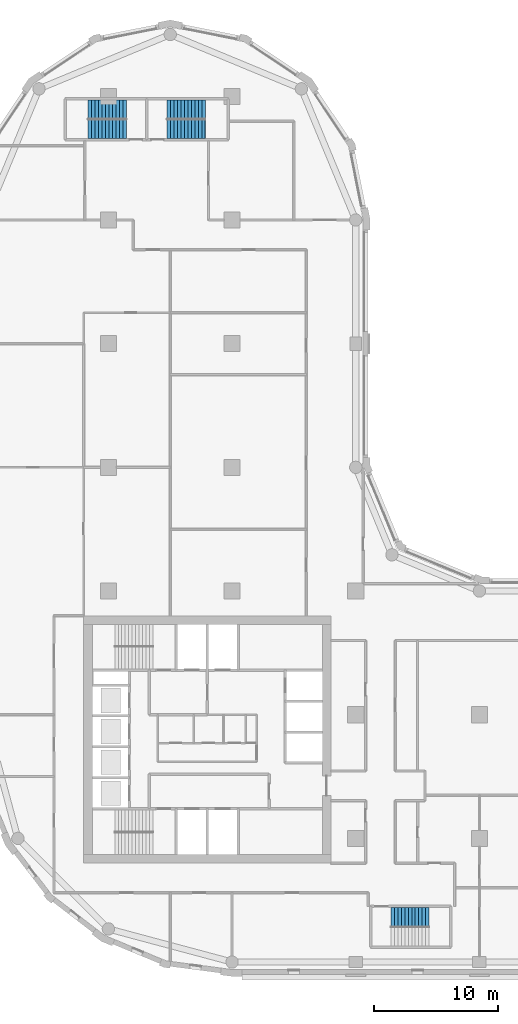
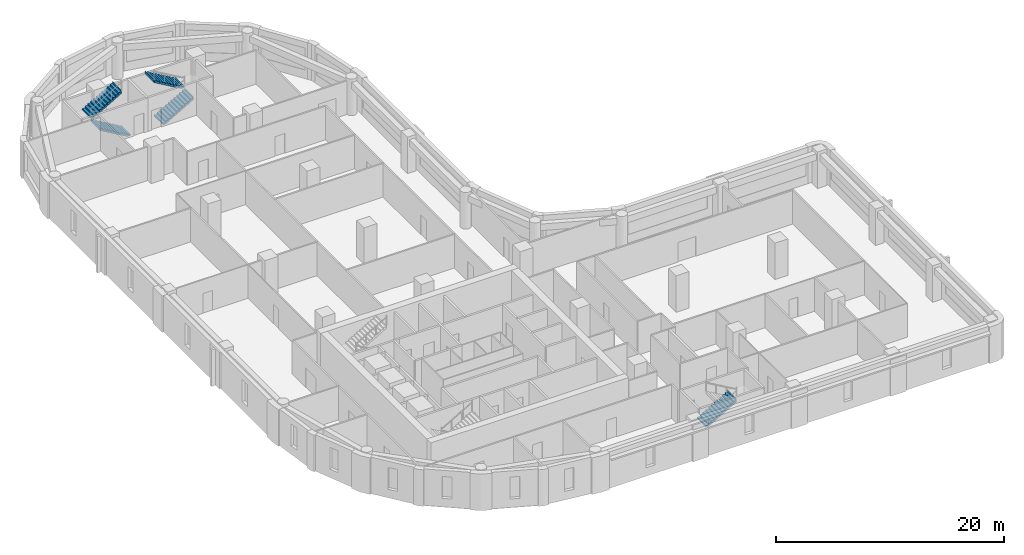
# One storey, part 8 of 10: 5 stair flights, 3 elements without a shape of their own.
"""IFC4 building model written with IfcOpenShell, lengths in metres."""

from ifc_helpers import new_model, si_unit, direction, frame, origin, place, context, subcontext, project, spatial, polyline, outline, extrude, material, type_object, element, aggregate, save


model = new_model("IFC4")

# Units and contexts
model_context = context("Model", 3, precision=1e-05, world=origin(), true_north=direction((0.0, 1.0)))
body_context = subcontext(model_context, "Body", "Model", "MODEL_VIEW")
ifc_project = project(units=[si_unit("LENGTHUNIT", "METRE"), si_unit("AREAUNIT", "SQUARE_METRE"), si_unit("VOLUMEUNIT", "CUBIC_METRE"), si_unit("PLANEANGLEUNIT", "RADIAN"), si_unit("MASSUNIT", "GRAM", prefix="KILO")], contexts=[model_context])

# Site, building, storey
site_placement = place(None, origin())
site = spatial("IfcSite", under=ifc_project, at=site_placement, CompositionType="ELEMENT")
building_placement = place(site_placement, origin())
building = spatial("IfcBuilding", under=site, at=building_placement, Name="Qaws Garden Tower", CompositionType="ELEMENT")
storey_placement = place(building_placement, frame((0.0, 0.0, 201.89990234375)))
storey = spatial("IfcBuildingStorey", under=building, at=storey_placement, Name="L49", CompositionType="ELEMENT", Elevation=201.89990234375)

# Stair, stair flight
ifc_material_1 = material(Name="Concrete C40", Category="concrete")
stair_type = type_object("IfcStairType", Name="Exit stair 1350", PredefinedType="HALF_TURN_STAIR", material=ifc_material_1)
placement = place(storey_placement, origin())
stair_1 = element("IfcStair", 1, at=placement, inside=storey, type_object=stair_type, Name="Stair 5", PredefinedType="HALF_TURN_STAIR")
ifc_material_2 = material(Name="Concrete C40", Category="concrete")
stair_flight_type = type_object("IfcStairFlightType", Name="Stair flight 1350", PredefinedType="STRAIGHT", material=ifc_material_2)
stair_flight_1_placement = place(storey_placement, frame((32.85009765625, 3.625, 0.0), z_axis=(0.0, 0.0, 1.0), x_axis=(1.0, 0.0, 0.0)))
stair_flight_1 = element("IfcStairFlight", 2, at=stair_flight_1_placement, type_object=stair_flight_type, Name="ST5 flight 1", NumberOfRisers=12, NumberOfTreads=11, PredefinedType="STRAIGHT", RiserHeight=0.1625, TreadLength=0.28, context=body_context, shape_type="SweptSolid", body=[
    extrude(outline(polyline([(-0.0029296875, 0.0), (-0.0029296875, 0.16259765625), (0.0, 0.16259765625), (0.280029296875, 0.16259765625), (0.280029296875, 0.324951171875), (0.56005859375, 0.324951171875), (0.56005859375, 0.487548828125), (0.840087890625, 0.487548828125), (0.840087890625, 0.64990234375), (1.1201171875, 0.64990234375), (1.1201171875, 0.8125), (1.39990234375, 0.8125), (1.39990234375, 0.97509765625), (1.679931640625, 0.97509765625), (1.679931640625, 1.137451171875), (1.9599609375, 1.137451171875), (1.9599609375, 1.300048828125), (2.239990234375, 1.300048828125), (2.239990234375, 1.46240234375), (2.52001953125, 1.46240234375), (2.52001953125, 1.625), (2.800048828125, 1.625), (2.800048828125, 1.78759765625), (3.080078125, 1.78759765625), (3.080078125, 1.949951171875), (3.0830078125, 1.949951171875), (3.0830078125, 1.6142578125), (3.080078125, 1.6142578125), (0.298583984375, 0.0), (-0.0029296875, 0.0)])), frame((0.0, 0.77490234375, 0.0), z_axis=(0.0, -1.0, 0.0), x_axis=(1.0, 0.0, 0.0)), (0.0, 0.0, 1.0), 1.550048828125),
])
aggregate(stair_1, [stair_flight_1])

# Stair, stair flights
stair_2 = element("IfcStair", 3, at=placement, inside=storey, type_object=stair_type, Name="Stair 6", PredefinedType="HALF_TURN_STAIR")
stair_flight_2_placement = place(storey_placement, frame((11.449951171875, 67.375, 0.0), z_axis=(0.0, 0.0, 1.0), x_axis=(-1.0, 0.0, 0.0)))
stair_flight_2 = element("IfcStairFlight", 4, at=stair_flight_2_placement, type_object=stair_flight_type, Name="ST6 flight 1", NumberOfRisers=12, NumberOfTreads=11, PredefinedType="STRAIGHT", RiserHeight=0.1625, TreadLength=0.28, context=body_context, shape_type="SweptSolid", body=[
    extrude(outline(polyline([(-0.0029296875, 0.0), (-0.0029296875, 0.16259765625), (0.0, 0.16259765625), (0.280029296875, 0.16259765625), (0.280029296875, 0.324951171875), (0.56005859375, 0.324951171875), (0.56005859375, 0.487548828125), (0.840087890625, 0.487548828125), (0.840087890625, 0.64990234375), (1.1201171875, 0.64990234375), (1.1201171875, 0.8125), (1.39990234375, 0.8125), (1.39990234375, 0.97509765625), (1.679931640625, 0.97509765625), (1.679931640625, 1.137451171875), (1.9599609375, 1.137451171875), (1.9599609375, 1.300048828125), (2.239990234375, 1.300048828125), (2.239990234375, 1.46240234375), (2.52001953125, 1.46240234375), (2.52001953125, 1.625), (2.800048828125, 1.625), (2.800048828125, 1.78759765625), (3.080078125, 1.78759765625), (3.080078125, 1.949951171875), (3.0830078125, 1.949951171875), (3.0830078125, 1.6142578125), (3.080078125, 1.6142578125), (0.298583984375, 0.0), (-0.0029296875, 0.0)])), frame((0.0, 0.77490234375, 0.0), z_axis=(0.0, -1.0, 0.0), x_axis=(1.0, 0.0, 0.0)), (0.0, 0.0, 1.0), 1.550048828125),
])
stair_flight_3_placement = place(storey_placement, frame((8.3701171875, 68.925048828125, 1.9501953125), z_axis=(0.0, 0.0, 1.0), x_axis=(1.0, 0.0, 0.0)))
stair_flight_3 = element("IfcStairFlight", 5, at=stair_flight_3_placement, type_object=stair_flight_type, Name="ST6 flight 2", NumberOfRisers=12, NumberOfTreads=11, PredefinedType="STRAIGHT", RiserHeight=0.1625, TreadLength=0.28, context=body_context, shape_type="SweptSolid", body=[
    extrude(outline(polyline([(-0.0029296875, 0.0), (-0.0029296875, 0.16259765625), (0.0, 0.16259765625), (0.280029296875, 0.16259765625), (0.280029296875, 0.324951171875), (0.56005859375, 0.324951171875), (0.56005859375, 0.487548828125), (0.840087890625, 0.487548828125), (0.840087890625, 0.64990234375), (1.1201171875, 0.64990234375), (1.1201171875, 0.8125), (1.39990234375, 0.8125), (1.39990234375, 0.97509765625), (1.679931640625, 0.97509765625), (1.679931640625, 1.137451171875), (1.9599609375, 1.137451171875), (1.9599609375, 1.300048828125), (2.239990234375, 1.300048828125), (2.239990234375, 1.46240234375), (2.52001953125, 1.46240234375), (2.52001953125, 1.625), (2.800048828125, 1.625), (2.800048828125, 1.78759765625), (3.080078125, 1.78759765625), (3.080078125, 1.949951171875), (3.0830078125, 1.949951171875), (3.0830078125, 1.6142578125), (3.080078125, 1.6142578125), (0.298583984375, 0.0), (-0.0029296875, 0.0)])), frame((0.0, 0.77490234375, 0.0), z_axis=(0.0, -1.0, 0.0), x_axis=(1.0, 0.0, 0.0)), (0.0, 0.0, 1.0), 1.550048828125),
])
aggregate(stair_2, [stair_flight_2, stair_flight_3])

stair_3 = element("IfcStair", 6, at=placement, inside=storey, type_object=stair_type, Name="Stair 7", PredefinedType="HALF_TURN_STAIR")
stair_flight_4_placement = place(storey_placement, frame((14.75, 67.375, 0.0), z_axis=(0.0, 0.0, 1.0), x_axis=(1.0, 0.0, 0.0)))
stair_flight_4 = element("IfcStairFlight", 7, at=stair_flight_4_placement, type_object=stair_flight_type, Name="ST7 flight 1", NumberOfRisers=12, NumberOfTreads=11, PredefinedType="STRAIGHT", RiserHeight=0.1625, TreadLength=0.28, context=body_context, shape_type="SweptSolid", body=[
    extrude(outline(polyline([(-0.0029296875, 0.0), (-0.0029296875, 0.16259765625), (0.0, 0.16259765625), (0.280029296875, 0.16259765625), (0.280029296875, 0.324951171875), (0.56005859375, 0.324951171875), (0.56005859375, 0.487548828125), (0.840087890625, 0.487548828125), (0.840087890625, 0.64990234375), (1.1201171875, 0.64990234375), (1.1201171875, 0.8125), (1.39990234375, 0.8125), (1.39990234375, 0.97509765625), (1.679931640625, 0.97509765625), (1.679931640625, 1.137451171875), (1.9599609375, 1.137451171875), (1.9599609375, 1.300048828125), (2.239990234375, 1.300048828125), (2.239990234375, 1.46240234375), (2.52001953125, 1.46240234375), (2.52001953125, 1.625), (2.800048828125, 1.625), (2.800048828125, 1.78759765625), (3.080078125, 1.78759765625), (3.080078125, 1.949951171875), (3.0830078125, 1.949951171875), (3.0830078125, 1.6142578125), (3.080078125, 1.6142578125), (0.298583984375, 0.0), (-0.0029296875, 0.0)])), frame((0.0, 0.77490234375, 0.0), z_axis=(0.0, -1.0, 0.0), x_axis=(1.0, 0.0, 0.0)), (0.0, 0.0, 1.0), 1.550048828125),
])
stair_flight_5_placement = place(storey_placement, frame((17.830078125, 68.925048828125, 1.9501953125), z_axis=(0.0, 0.0, 1.0), x_axis=(-1.0, 0.0, 0.0)))
stair_flight_5 = element("IfcStairFlight", 8, at=stair_flight_5_placement, type_object=stair_flight_type, Name="ST7 flight 2", NumberOfRisers=12, NumberOfTreads=11, PredefinedType="STRAIGHT", RiserHeight=0.1625, TreadLength=0.28, context=body_context, shape_type="SweptSolid", body=[
    extrude(outline(polyline([(-0.0029296875, 0.0), (-0.0029296875, 0.16259765625), (0.0, 0.16259765625), (0.280029296875, 0.16259765625), (0.280029296875, 0.324951171875), (0.56005859375, 0.324951171875), (0.56005859375, 0.487548828125), (0.840087890625, 0.487548828125), (0.840087890625, 0.64990234375), (1.1201171875, 0.64990234375), (1.1201171875, 0.8125), (1.39990234375, 0.8125), (1.39990234375, 0.97509765625), (1.679931640625, 0.97509765625), (1.679931640625, 1.137451171875), (1.9599609375, 1.137451171875), (1.9599609375, 1.300048828125), (2.239990234375, 1.300048828125), (2.239990234375, 1.46240234375), (2.52001953125, 1.46240234375), (2.52001953125, 1.625), (2.800048828125, 1.625), (2.800048828125, 1.78759765625), (3.080078125, 1.78759765625), (3.080078125, 1.949951171875), (3.0830078125, 1.949951171875), (3.0830078125, 1.6142578125), (3.080078125, 1.6142578125), (0.298583984375, 0.0), (-0.0029296875, 0.0)])), frame((0.0, 0.77490234375, 0.0), z_axis=(0.0, -1.0, 0.0), x_axis=(1.0, 0.0, 0.0)), (0.0, 0.0, 1.0), 1.550048828125),
])
aggregate(stair_3, [stair_flight_4, stair_flight_5])

save(model, "model.ifc")
